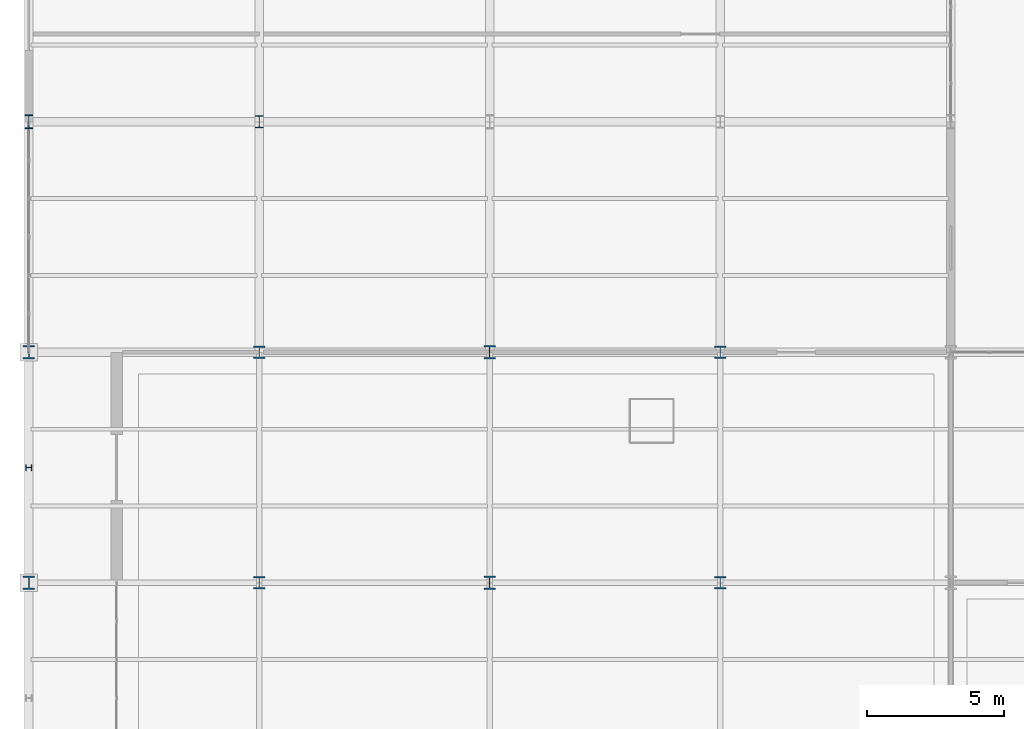
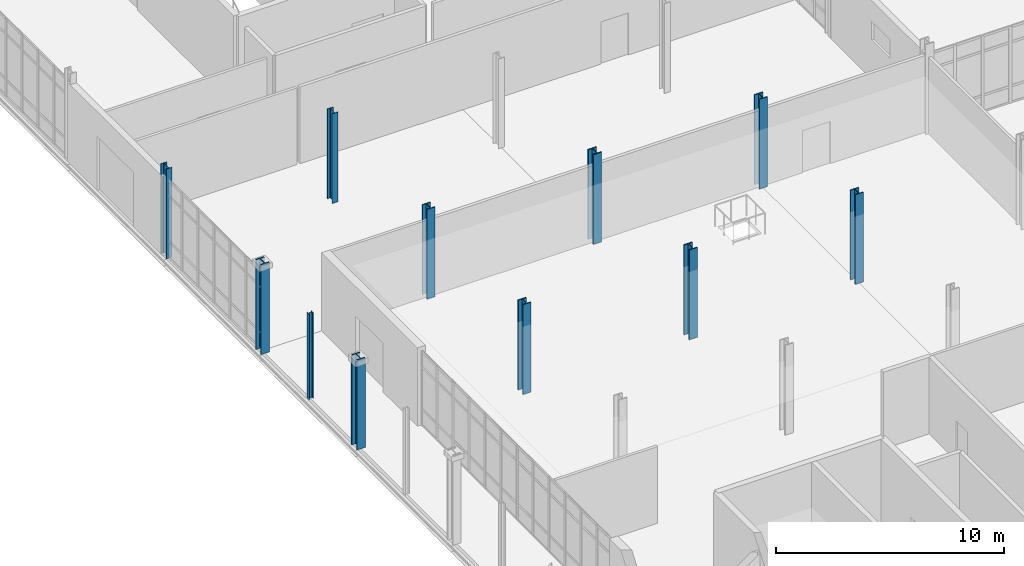
# One storey, part 4 of 145: 11 columns.
"""IFC4 building model written with IfcOpenShell, lengths in metres."""

from ifc_helpers import new_model, si_unit, direction, frame, origin, origin_2d, place, context, subcontext, project, spatial, i_section, extrude, material, material_profile, profile_set, type_object, element, save


model = new_model("IFC4")

# Units and contexts
model_context = context("Model", 3, precision=1e-05, world=origin(), true_north=direction((0.0, 1.0)))
body_context = subcontext(model_context, "Body", "Model", "MODEL_VIEW")
ifc_project = project(units=[si_unit("LENGTHUNIT", "METRE"), si_unit("AREAUNIT", "SQUARE_METRE"), si_unit("VOLUMEUNIT", "CUBIC_METRE"), si_unit("PLANEANGLEUNIT", "RADIAN"), si_unit("MASSUNIT", "GRAM", prefix="KILO")], contexts=[model_context])

# Site, building, storey
site_placement = place(None, origin())
site = spatial("IfcSite", under=ifc_project, at=site_placement, CompositionType="ELEMENT")
building_placement = place(site_placement, origin())
building = spatial("IfcBuilding", under=site, at=building_placement, Name="Qalvenar Corner Mobility Hub", CompositionType="ELEMENT")
storey_placement = place(building_placement, origin())
storey = spatial("IfcBuildingStorey", under=building, at=storey_placement, Name="L00", CompositionType="ELEMENT", Elevation=0.0)

# Columns
ifc_material = material(Name="Steel S355", Category="steel")
ifc_material_profile_1 = material_profile(ifc_material, i_section(OverallWidth=0.412109375, OverallDepth=0.455078125, WebThickness=0.030517578125, FlangeThickness=0.049072265625, FilletRadius=0.014892578125, at=origin_2d()), Name="HD400x421")
ifc_profile_set_1 = profile_set([ifc_material_profile_1], Name="Steel S355")
column_type_1 = type_object("IfcColumnType", Name="COL-HD400X382", PredefinedType="COLUMN", material=ifc_profile_set_1)
for number, where, z_axis, x_axis, name in (
    (1, (8.39990234375, 33.60009765625, 0.0), (0.0, 0.0, 1.0), (1.0, 0.0, 0.0), "Steel Column L00-G2-4"),
    (2, (8.39990234375, 42.0, 0.0), (0.0, 0.0, 1.0), (1.0, 0.0, 0.0), "Steel Column L00-G2-5"),
    (3, (25.199951171875, 33.60009765625, 0.0), (0.0, 0.0, 1.0), (1.0, 0.0, 0.0), "Steel Column L00-G4-4"),
    (4, (25.199951171875, 42.0, 0.0), (0.0, 0.0, 1.0), (1.0, 0.0, 0.0), "Steel Column L00-G4-5"),
):
    element("IfcColumn", number, at=place(storey_placement, frame(where, z_axis=z_axis, x_axis=x_axis)), inside=storey, type_object=column_type_1, Name=name, PredefinedType="COLUMN", context=body_context, shape_type="SweptSolid", body=[
        extrude(i_section(OverallWidth=0.412109375, OverallDepth=0.455078125, WebThickness=0.030517578125, FlangeThickness=0.049072265625, FilletRadius=0.014892578125, at=origin_2d()), origin(), (0.0, 0.0, 1.0), 4.800048828125),
    ])
ifc_material_profile_2 = material_profile(ifc_material, i_section(OverallWidth=0.419921875, OverallDepth=0.5048828125, WebThickness=0.03662109375, FlangeThickness=0.05908203125, FilletRadius=0.014892578125, at=origin_2d()), Name="HD400x551")
ifc_profile_set_2 = profile_set([ifc_material_profile_2], Name="Steel S355")
column_type_2 = type_object("IfcColumnType", Name="COL-HD400X463", PredefinedType="COLUMN", material=ifc_profile_set_2)
for number, where, z_axis, x_axis, name in (
    (5, (0.0, 33.60009765625, 0.0), (0.0, 0.0, 1.0), (1.0, 0.0, 0.0), "Steel Column L00-G1-4"),
    (6, (0.0, 42.0, 0.0), (0.0, 0.0, 1.0), (1.0, 0.0, 0.0), "Steel Column L00-G1-5"),
    (7, (16.800048828125, 33.60009765625, 0.0), (0.0, 0.0, 1.0), (1.0, 0.0, 0.0), "Steel Column L00-G3-4"),
    (8, (16.800048828125, 42.0, 0.0), (0.0, 0.0, 1.0), (1.0, 0.0, 0.0), "Steel Column L00-G3-5"),
):
    element("IfcColumn", number, at=place(storey_placement, frame(where, z_axis=z_axis, x_axis=x_axis)), inside=storey, type_object=column_type_2, Name=name, PredefinedType="COLUMN", context=body_context, shape_type="SweptSolid", body=[
        extrude(i_section(OverallWidth=0.419921875, OverallDepth=0.5048828125, WebThickness=0.03662109375, FlangeThickness=0.05908203125, FilletRadius=0.014892578125, at=origin_2d()), origin(), (0.0, 0.0, 1.0), 4.800048828125),
    ])
ifc_material_profile_3 = material_profile(ifc_material, i_section(OverallWidth=0.300048828125, OverallDepth=0.449951171875, WebThickness=0.013916015625, FlangeThickness=0.02587890625, FilletRadius=0.027099609375, at=origin_2d()), Name="HEB450")
ifc_profile_set_3 = profile_set([ifc_material_profile_3], Name="Steel S355")
column_type_3 = type_object("IfcColumnType", Name="COL-HEB450", PredefinedType="COLUMN", material=ifc_profile_set_3)
column_1_placement = place(storey_placement, frame((8.39990234375, 50.39990234375, 0.0), z_axis=(0.0, 0.0, 1.0), x_axis=(1.0, 0.0, 0.0)))
element("IfcColumn", 9, at=column_1_placement, inside=storey, type_object=column_type_3, Name="Steel Column L00-G2-6", PredefinedType="COLUMN", context=body_context, shape_type="SweptSolid", body=[
    extrude(i_section(OverallWidth=0.300048828125, OverallDepth=0.449951171875, WebThickness=0.013916015625, FlangeThickness=0.02587890625, FilletRadius=0.027099609375, at=origin_2d()), origin(), (0.0, 0.0, 1.0), 4.800048828125),
])
ifc_material_profile_4 = material_profile(ifc_material, i_section(OverallWidth=0.300048828125, OverallDepth=0.5, WebThickness=0.014404296875, FlangeThickness=0.028076171875, FilletRadius=0.027099609375, at=origin_2d()), Name="HEB500")
ifc_profile_set_4 = profile_set([ifc_material_profile_4], Name="Steel S355")
column_type_4 = type_object("IfcColumnType", Name="COL-HEB500", PredefinedType="COLUMN", material=ifc_profile_set_4)
column_2_placement = place(storey_placement, frame((0.0, 50.39990234375, 0.0), z_axis=(0.0, 0.0, 1.0), x_axis=(1.0, 0.0, 0.0)))
element("IfcColumn", 10, at=column_2_placement, inside=storey, type_object=column_type_4, Name="Steel Column L00-G1-6", PredefinedType="COLUMN", context=body_context, shape_type="SweptSolid", body=[
    extrude(i_section(OverallWidth=0.300048828125, OverallDepth=0.5, WebThickness=0.014404296875, FlangeThickness=0.028076171875, FilletRadius=0.027099609375, at=origin_2d()), origin(), (0.0, 0.0, 1.0), 4.800048828125),
])
ifc_material_profile_5 = material_profile(ifc_material, i_section(OverallWidth=0.219970703125, OverallDepth=0.219970703125, WebThickness=0.009521484375, FlangeThickness=0.01611328125, FilletRadius=0.01806640625, at=origin_2d()), Name="HEB220")
ifc_profile_set_5 = profile_set([ifc_material_profile_5], Name="Steel S355")
column_type_5 = type_object("IfcColumnType", Name="COL-PIL-HEB220", PredefinedType="PILASTER", material=ifc_profile_set_5)
column_3_placement = place(storey_placement, frame((0.0, 37.800048828125, 0.0), z_axis=(0.0, 0.0, 1.0), x_axis=(0.0, 1.0, 0.0)))
element("IfcColumn", 11, at=column_3_placement, inside=storey, type_object=column_type_5, Name="Arcade Pilaster PW-09", PredefinedType="PILASTER", context=body_context, shape_type="SweptSolid", body=[
    extrude(i_section(OverallWidth=0.219970703125, OverallDepth=0.219970703125, WebThickness=0.009521484375, FlangeThickness=0.01611328125, FilletRadius=0.01806640625, at=origin_2d()), origin(), (0.0, 0.0, 1.0), 4.580078125),
])

save(model, "model.ifc")
